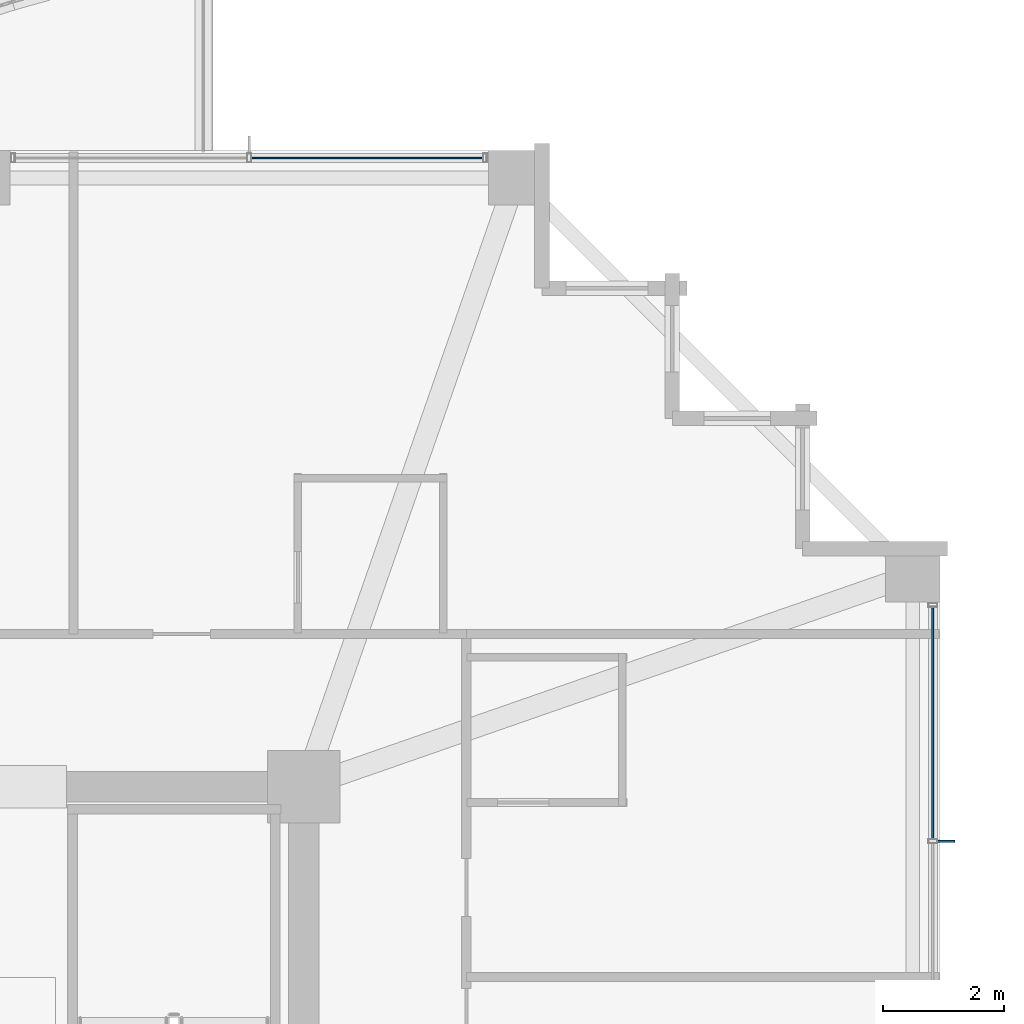
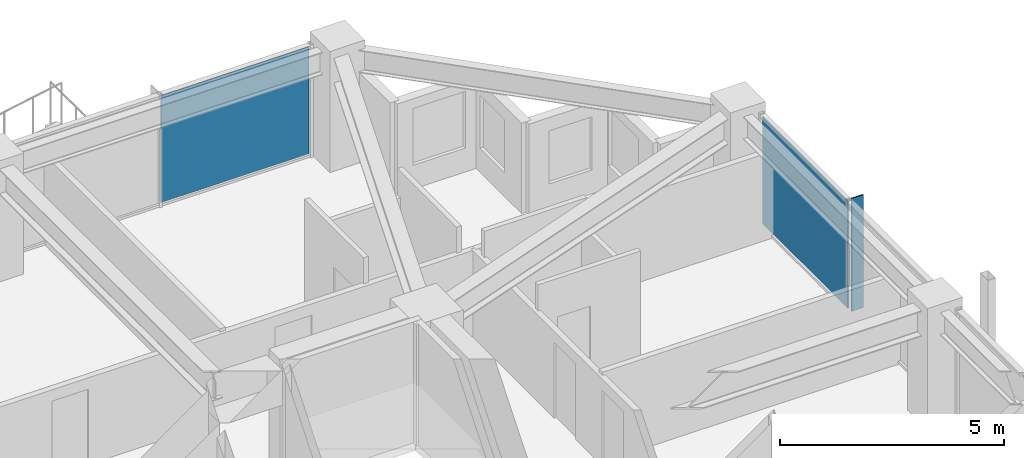
# One storey, part 30 of 37: 3 plates, 2 elements without a shape of their own.
"""IFC4 building model written with IfcOpenShell, lengths in metres."""

from ifc_helpers import new_model, si_unit, direction, frame, origin, origin_2d, place, context, subcontext, project, spatial, rectangle, extrude, material, layer, layer_set, type_object, element, aggregate, save


model = new_model("IFC4")

# Units and contexts
model_context = context("Model", 3, precision=1e-05, world=origin(), true_north=direction((0.0, 1.0)))
body_context = subcontext(model_context, "Body", "Model", "MODEL_VIEW")
ifc_project = project(units=[si_unit("LENGTHUNIT", "METRE"), si_unit("AREAUNIT", "SQUARE_METRE"), si_unit("VOLUMEUNIT", "CUBIC_METRE"), si_unit("PLANEANGLEUNIT", "RADIAN"), si_unit("MASSUNIT", "GRAM", prefix="KILO")], contexts=[model_context])

# Site, building, storey
site_placement = place(None, origin())
site = spatial("IfcSite", under=ifc_project, at=site_placement, CompositionType="ELEMENT")
building_placement = place(site_placement, origin())
building = spatial("IfcBuilding", under=site, at=building_placement, Name="Kolvaren Belvedere", CompositionType="ELEMENT")
storey_placement = place(building_placement, frame((0.0, 0.0, 180.0)))
storey = spatial("IfcBuildingStorey", under=building, at=storey_placement, Name="L52", CompositionType="ELEMENT", Elevation=180.0)

# Curtain wall, plate
ifc_material_1 = material(Name="Anodised pale-metal aluminium AA 6063-T6", Category="aluminium")
curtain_wall_type = type_object("IfcCurtainWallType", Name="CW-Z5-HIGH", PredefinedType="NOTDEFINED", material=ifc_material_1)
curtain_wall_1_placement = place(storey_placement, origin())
curtain_wall_1 = element("IfcCurtainWall", 1, at=curtain_wall_1_placement, inside=storey, type_object=curtain_wall_type, Name="L52 Unitised Curtain Wall FCW-L52-E-B1", PredefinedType="NOTDEFINED")
ifc_material_2 = material(Name="Low-iron triple insulated glass", Category="glass")
ifc_layer_1 = layer(ifc_material_2, 0.028076171875)
ifc_layer_set_1 = layer_set([ifc_layer_1], Name="Low-iron triple insulated glass")
plate_type_1 = type_object("IfcPlateType", Name="CW-PNL-VIS28", PredefinedType="CURTAIN_PANEL", material=ifc_layer_set_1)
plate_1_placement = place(storey_placement, frame((20.280029296875, 10.947509765625, 0.080078125), z_axis=(0.0, 0.0, 1.0), x_axis=(0.0, -1.0, 0.0)))
plate_1 = element("IfcPlate", 2, at=plate_1_placement, type_object=plate_type_1, Name="FCW-L52-E-B1 Vision Glazing Panel 1", PredefinedType="CURTAIN_PANEL", context=body_context, shape_type="SweptSolid", body=[
    extrude(rectangle(XDim=3.81494140625, YDim=0.028076171875, at=origin_2d()), origin(), (0.0, 0.0, 1.0), 2.919921875),
])
aggregate(curtain_wall_1, [plate_1])

curtain_wall_2_placement = place(storey_placement, origin())
curtain_wall_2 = element("IfcCurtainWall", 3, at=curtain_wall_2_placement, inside=storey, type_object=curtain_wall_type, Name="L52 Unitised Curtain Wall FCW-L52-N2-B2", PredefinedType="NOTDEFINED")
plate_2_placement = place(storey_placement, frame((10.947509765625, 20.280029296875, 0.080078125), z_axis=(0.0, 0.0, 1.0), x_axis=(1.0, 0.0, 0.0)))
plate_2 = element("IfcPlate", 4, at=plate_2_placement, type_object=plate_type_1, Name="FCW-L52-N2-B2 Vision Glazing Panel 2", PredefinedType="CURTAIN_PANEL", context=body_context, shape_type="SweptSolid", body=[
    extrude(rectangle(XDim=3.81494140625, YDim=0.028076171875, at=origin_2d()), origin(), (0.0, 0.0, 1.0), 2.919921875),
])
aggregate(curtain_wall_2, [plate_2])

# Plate
ifc_material_3 = material(Name="Anodised pale-metal aluminium AA 6063-T6", Category="aluminium")
ifc_layer_2 = layer(ifc_material_3, 0.030029296875)
ifc_layer_set_2 = layer_set([ifc_layer_2], Name="Anodised pale-metal aluminium AA 6063-T6")
plate_type_2 = type_object("IfcPlateType", Name="FIN-VERT-300", PredefinedType="USERDEFINED", material=ifc_layer_set_2)
plate_3_placement = place(storey_placement, frame((20.489990234375, 9.0, 0.0), z_axis=(0.0, 0.0, 1.0), x_axis=(1.0, 0.0, 0.0)))
element("IfcPlate", 5, at=plate_3_placement, inside=storey, type_object=plate_type_2, Name="L52 Pale-Metal Vertical Shading Fin FCW-L52-E-B1-1", ObjectType="VERTICAL FIN", PredefinedType="USERDEFINED", context=body_context, shape_type="SweptSolid", body=[
    extrude(rectangle(XDim=0.300048828125, YDim=0.030029296875, at=origin_2d()), origin(), (0.0, 0.0, 1.0), 3.080078125),
])

save(model, "model.ifc")
